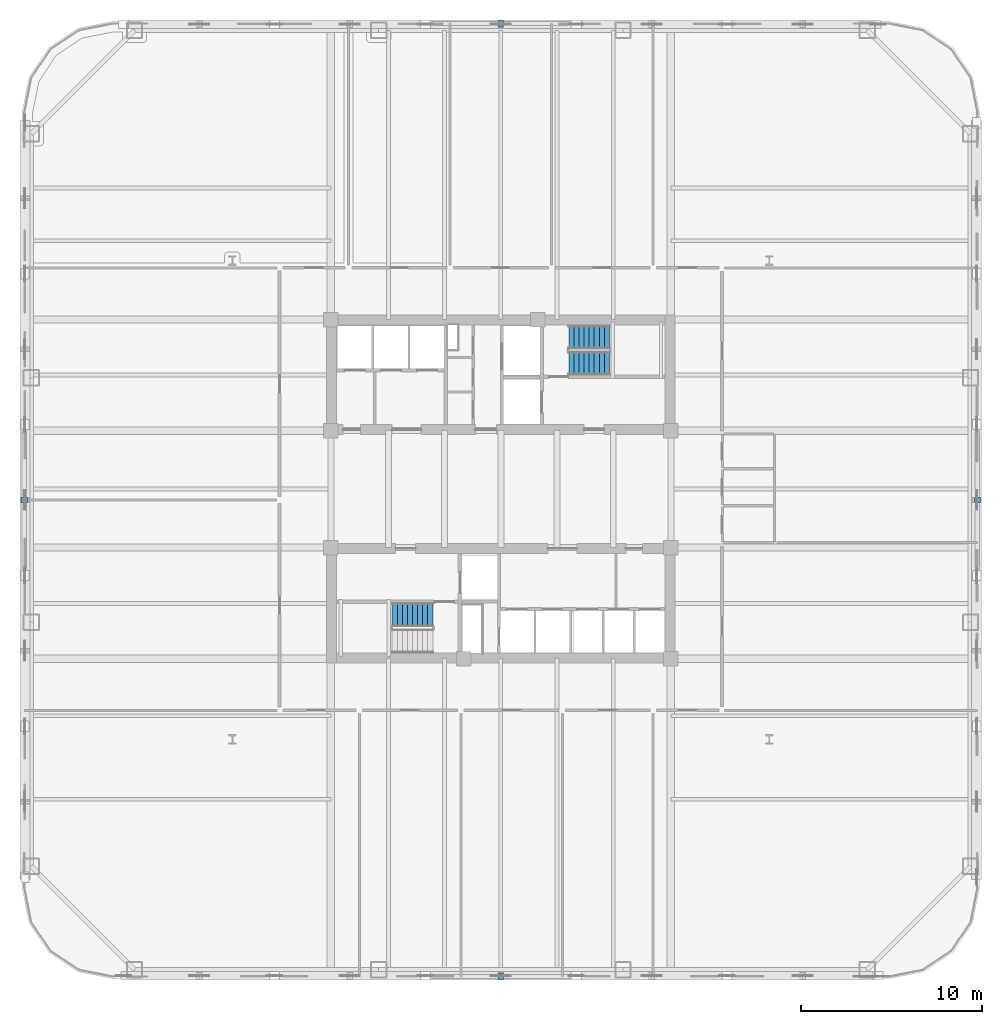
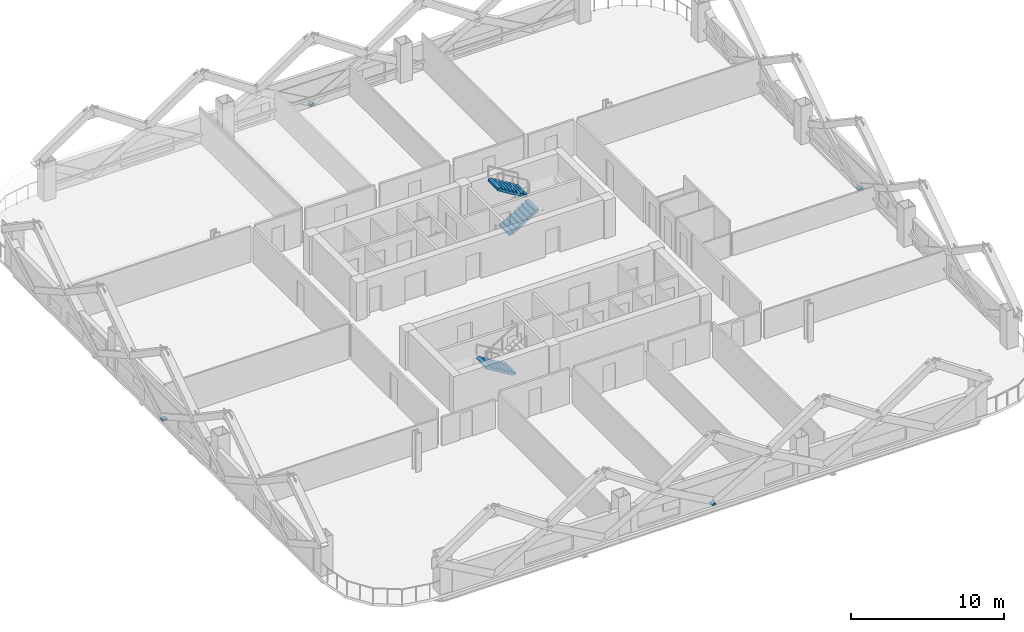
# One storey, part 8 of 14: 4 discrete accessories, 3 stair flights, 2 elements without a shape of their own.
"""IFC4 building model written with IfcOpenShell, lengths in metres."""

from ifc_helpers import new_model, si_unit, direction, frame, origin, origin_2d, place, context, subcontext, project, spatial, polyline, rectangle, outline, extrude, material, type_object, element, aggregate, save


model = new_model("IFC4")

# Units and contexts
model_context = context("Model", 3, precision=1e-05, world=origin(), true_north=direction((0.0, 1.0)))
body_context = subcontext(model_context, "Body", "Model", "MODEL_VIEW")
ifc_project = project(units=[si_unit("LENGTHUNIT", "METRE"), si_unit("AREAUNIT", "SQUARE_METRE"), si_unit("VOLUMEUNIT", "CUBIC_METRE"), si_unit("PLANEANGLEUNIT", "RADIAN"), si_unit("MASSUNIT", "GRAM", prefix="KILO")], contexts=[model_context])

# Site, building, storey
site_placement = place(None, origin())
site = spatial("IfcSite", under=ifc_project, at=site_placement, CompositionType="ELEMENT")
building_placement = place(site_placement, origin())
building = spatial("IfcBuilding", under=site, at=building_placement, Name="Qhalaya Broadcast Tower", CompositionType="ELEMENT")
storey_placement = place(building_placement, frame((0.0, 0.0, 38.300048828125)))
storey = spatial("IfcBuildingStorey", under=building, at=storey_placement, Name="L10", CompositionType="ELEMENT", Elevation=38.300048828125)

# Stair, stair flights
ifc_material_1 = material(Name="Concrete C40/50", Category="concrete")
stair_type = type_object("IfcStairType", Name="Protected Dogleg Core Stair 3150", PredefinedType="TWO_STRAIGHT_RUN_STAIR", material=ifc_material_1)
stair_1_placement = place(storey_placement, origin())
stair_1 = element("IfcStair", 1, at=stair_1_placement, inside=storey, type_object=stair_type, Name="L10 North Core Exit Stair ST-1", PredefinedType="TWO_STRAIGHT_RUN_STAIR")
ifc_material_2 = material(Name="Precast Concrete C40/50", Category="concrete")
stair_flight_type = type_object("IfcStairFlightType", Name="Precast Concrete Stair Flight 3150", PredefinedType="STRAIGHT", material=ifc_material_2)
stair_flight_1_placement = place(storey_placement, frame((3.75, 7.5400390625, 0.0), z_axis=(0.0, 0.0, 1.0), x_axis=(1.0, 0.0, 0.0)))
stair_flight_1 = element("IfcStairFlight", 2, at=stair_flight_1_placement, type_object=stair_flight_type, Name="ST-1 flight 1", NumberOfRisers=9, NumberOfTreads=8, PredefinedType="STRAIGHT", RiserHeight=0.169444444, TreadLength=0.28, context=body_context, shape_type="SweptSolid", body=[
    extrude(outline(polyline([(0.0, 0.0), (0.0, 0.16943359375), (0.280029296875, 0.16943359375), (0.280029296875, 0.3388671875), (0.56005859375, 0.3388671875), (0.56005859375, 0.50830078125), (0.840087890625, 0.50830078125), (0.840087890625, 0.677734375), (1.1201171875, 0.677734375), (1.1201171875, 0.84716796875), (1.39990234375, 0.84716796875), (1.39990234375, 1.0166015625), (1.679931640625, 1.0166015625), (1.679931640625, 1.18603515625), (1.9599609375, 1.18603515625), (1.9599609375, 1.35546875), (2.239990234375, 1.35546875), (2.239990234375, 1.52490234375), (2.239990234375, 1.180419921875), (0.28955078125, 0.0), (0.0, 0.0)])), frame((0.0, 0.66015625, 0.0), z_axis=(0.0, -1.0, 0.0), x_axis=(1.0, 0.0, 0.0)), (0.0, 0.0, 1.0), 1.320068359375),
])
stair_flight_2_placement = place(storey_placement, frame((5.989990234375, 8.97998046875, 1.52490234375), z_axis=(0.0, 0.0, 1.0), x_axis=(-1.0, 0.0, 0.0)))
stair_flight_2 = element("IfcStairFlight", 3, at=stair_flight_2_placement, type_object=stair_flight_type, Name="ST-1 flight 2", NumberOfRisers=9, NumberOfTreads=8, PredefinedType="STRAIGHT", RiserHeight=0.169444444, TreadLength=0.28, context=body_context, shape_type="SweptSolid", body=[
    extrude(outline(polyline([(0.0, 0.0), (0.0, 0.16943359375), (0.280029296875, 0.16943359375), (0.280029296875, 0.3388671875), (0.56005859375, 0.3388671875), (0.56005859375, 0.50830078125), (0.840087890625, 0.50830078125), (0.840087890625, 0.677734375), (1.1201171875, 0.677734375), (1.1201171875, 0.84716796875), (1.39990234375, 0.84716796875), (1.39990234375, 1.0166015625), (1.679931640625, 1.0166015625), (1.679931640625, 1.18603515625), (1.9599609375, 1.18603515625), (1.9599609375, 1.35546875), (2.239990234375, 1.35546875), (2.239990234375, 1.52490234375), (2.239990234375, 1.180419921875), (0.28955078125, 0.0), (0.0, 0.0)])), frame((0.0, 0.66015625, 0.0), z_axis=(0.0, -1.0, 0.0), x_axis=(1.0, 0.0, 0.0)), (0.0, 0.0, 1.0), 1.320068359375),
])
aggregate(stair_1, [stair_flight_1, stair_flight_2])

# Stair, stair flight
stair_2_placement = place(storey_placement, origin())
stair_2 = element("IfcStair", 4, at=stair_2_placement, inside=storey, type_object=stair_type, Name="L10 South Core Exit Stair ST-2", PredefinedType="TWO_STRAIGHT_RUN_STAIR")
stair_flight_3_placement = place(storey_placement, frame((-3.75, -6.340087890625, 0.0), z_axis=(0.0, 0.0, 1.0), x_axis=(-1.0, 0.0, 0.0)))
stair_flight_3 = element("IfcStairFlight", 5, at=stair_flight_3_placement, type_object=stair_flight_type, Name="ST-2 flight 1", NumberOfRisers=9, NumberOfTreads=8, PredefinedType="STRAIGHT", RiserHeight=0.169444444, TreadLength=0.28, context=body_context, shape_type="SweptSolid", body=[
    extrude(outline(polyline([(0.0, 0.0), (0.0, 0.16943359375), (0.280029296875, 0.16943359375), (0.280029296875, 0.3388671875), (0.56005859375, 0.3388671875), (0.56005859375, 0.50830078125), (0.840087890625, 0.50830078125), (0.840087890625, 0.677734375), (1.1201171875, 0.677734375), (1.1201171875, 0.84716796875), (1.39990234375, 0.84716796875), (1.39990234375, 1.0166015625), (1.679931640625, 1.0166015625), (1.679931640625, 1.18603515625), (1.9599609375, 1.18603515625), (1.9599609375, 1.35546875), (2.239990234375, 1.35546875), (2.239990234375, 1.52490234375), (2.239990234375, 1.180419921875), (0.28955078125, 0.0), (0.0, 0.0)])), frame((0.0, 0.66015625, 0.0), z_axis=(0.0, -1.0, 0.0), x_axis=(1.0, 0.0, 0.0)), (0.0, 0.0, 1.0), 1.320068359375),
])
aggregate(stair_2, [stair_flight_3])

# Discrete accessories
ifc_material_3 = material(Name="Structural Steel ASTM A572 Grade 50", Category="steel")
discrete_accessory_type = type_object("IfcDiscreteAccessoryType", Name="Facade Baguette Support Bracket BRK-01", PredefinedType="BRACKET", material=ifc_material_3)
for number, where, z_axis, x_axis, name in (
    (6, (0.0, -26.280029296875, 0.0), (0.0, 0.0, 1.0), (1.0, 0.0, 0.0), "L10 Baguette Support Bracket S"),
    (7, (26.280029296875, 0.0, 0.0), (0.0, 0.0, 1.0), (0.0, 1.0, 0.0), "L10 Baguette Support Bracket E"),
    (8, (0.0, 26.280029296875, 0.0), (0.0, 0.0, 1.0), (-1.0, 0.0, 0.0), "L10 Baguette Support Bracket N"),
    (9, (-26.280029296875, 0.0, 0.0), (0.0, 0.0, 1.0), (0.0, -1.0, 0.0), "L10 Baguette Support Bracket W"),
):
    element("IfcDiscreteAccessory", number, at=place(storey_placement, frame(where, z_axis=z_axis, x_axis=x_axis)), inside=storey, type_object=discrete_accessory_type, Name=name, PredefinedType="BRACKET", context=body_context, shape_type="SweptSolid", body=[
        extrude(rectangle(XDim=0.300048828125, YDim=0.340087890625, at=origin_2d()), origin(), (0.0, 0.0, 1.0), 0.159912109375),
    ])

save(model, "model.ifc")
